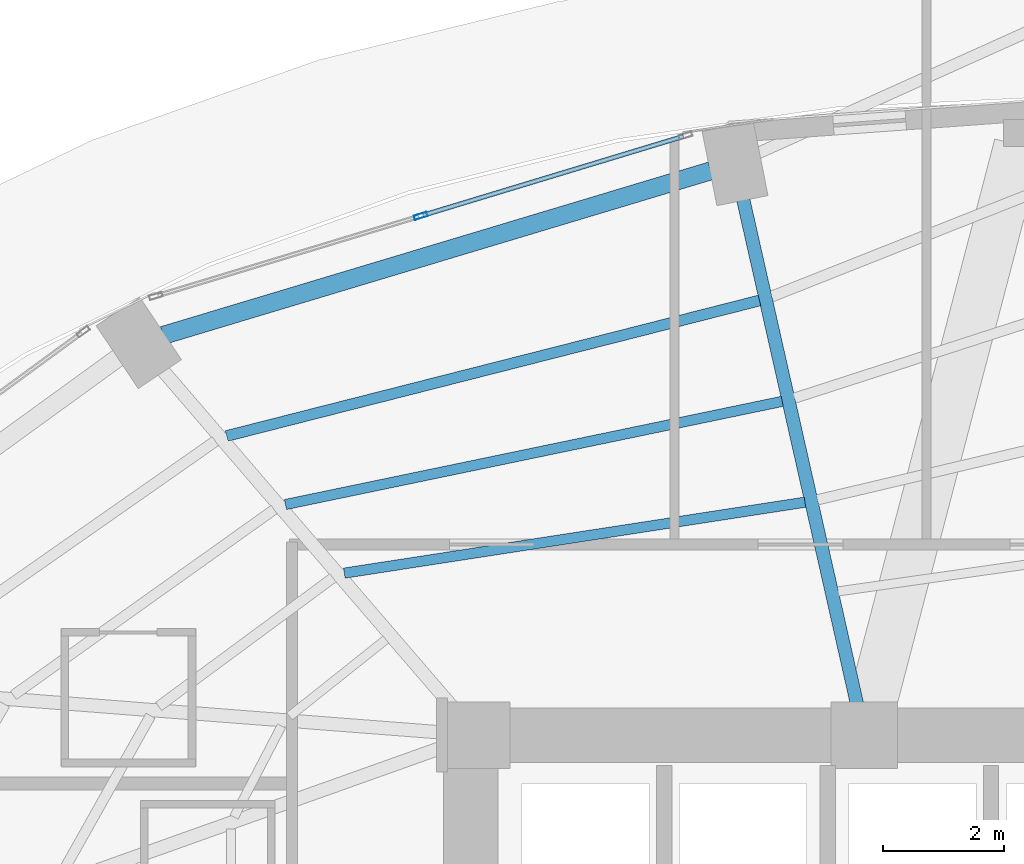
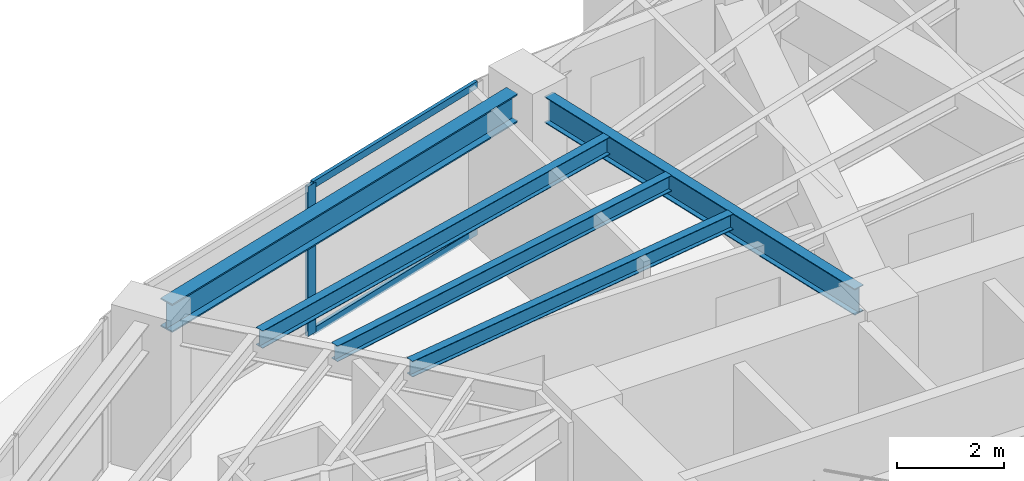
# One storey, part 14 of 25: 5 beams, 3 members, 1 element without a shape of its own.
"""IFC4 building model written with IfcOpenShell, lengths in metres."""

from ifc_helpers import new_model, si_unit, direction, frame, origin, origin_2d, place, context, subcontext, project, spatial, hollow_rectangle, i_section, extrude, material, layer, layer_set, material_profile, profile_set, type_object, element, aggregate, save


model = new_model("IFC4")

# Units and contexts
model_context = context("Model", 3, precision=1e-05, world=origin(), true_north=direction((0.0, 1.0)))
body_context = subcontext(model_context, "Body", "Model", "MODEL_VIEW")
ifc_project = project(units=[si_unit("LENGTHUNIT", "METRE"), si_unit("AREAUNIT", "SQUARE_METRE"), si_unit("VOLUMEUNIT", "CUBIC_METRE"), si_unit("PLANEANGLEUNIT", "RADIAN"), si_unit("MASSUNIT", "GRAM", prefix="KILO")], contexts=[model_context])

# Site, building, storey
site_placement = place(None, origin())
site = spatial("IfcSite", under=ifc_project, at=site_placement, CompositionType="ELEMENT")
building_placement = place(site_placement, origin())
building = spatial("IfcBuilding", under=site, at=building_placement, Name="Lazwardi Medical Tower", CompositionType="ELEMENT")
storey_placement = place(building_placement, frame((0.0, 0.0, 25.199951171875)))
storey = spatial("IfcBuildingStorey", under=building, at=storey_placement, Name="L05", CompositionType="ELEMENT", Elevation=25.199951171875)

# Beams
ifc_material_1 = material(Name="Steel S355", Category="steel")
ifc_material_profile_1 = material_profile(ifc_material_1, i_section(OverallWidth=0.300048828125, OverallDepth=0.64990234375, WebThickness=0.01611328125, FlangeThickness=0.031005859375, at=origin_2d()), Name="HEB 650")
ifc_profile_set_1 = profile_set([ifc_material_profile_1], Name="Steel S355")
beam_type_1 = type_object("IfcBeamType", Name="BM-RB-Z1", PredefinedType="BEAM", material=ifc_profile_set_1)
beam_1_placement = place(storey_placement, frame((30.26708984375, 44.923095703125, 3.10302734375), z_axis=(-0.957695289269, -0.287784177662, 0.0), x_axis=(0.287784177662, -0.957695289269, 0.0)))
element("IfcBeam", 1, at=beam_1_placement, inside=storey, type_object=beam_type_1, Name="Ring beam RB-02 B09 L05", PredefinedType="BEAM", context=body_context, shape_type="SweptSolid", body=[
    extrude(i_section(OverallWidth=0.300048828125, OverallDepth=0.64990234375, WebThickness=0.01611328125, FlangeThickness=0.031005859375, at=origin_2d()), origin(), (0.0, 0.0, 1.0), 9.445556640625),
])
ifc_material_profile_2 = material_profile(ifc_material_1, i_section(OverallWidth=0.219970703125, OverallDepth=0.60009765625, WebThickness=0.011962890625, FlangeThickness=0.01904296875, at=origin_2d()), Name="IPE 600")
ifc_profile_set_2 = profile_set([ifc_material_profile_2], Name="Steel S355")
beam_type_2 = type_object("IfcBeamType", Name="BM-RG-W1", PredefinedType="BEAM", material=ifc_profile_set_2)
beam_2_placement = place(storey_placement, frame((30.796875, 44.478271484375, 3.1279296875), z_axis=(0.22010079219, -0.975477135189, 0.0), x_axis=(0.975477135189, 0.22010079219, 0.0)))
element("IfcBeam", 2, at=beam_2_placement, inside=storey, type_object=beam_type_2, Name="Radial girder RG-02 R09 L05", PredefinedType="BEAM", context=body_context, shape_type="SweptSolid", body=[
    extrude(i_section(OverallWidth=0.219970703125, OverallDepth=0.60009765625, WebThickness=0.011962890625, FlangeThickness=0.01904296875, at=origin_2d()), origin(), (0.0, 0.0, 1.0), 8.56640625),
])
ifc_material_profile_3 = material_profile(ifc_material_1, i_section(OverallWidth=0.179931640625, OverallDepth=0.39990234375, WebThickness=0.008544921875, FlangeThickness=0.013427734375, at=origin_2d()), Name="IPE 400")
ifc_profile_set_3 = profile_set([ifc_material_profile_3], Name="Steel S355")
beam_type_3 = type_object("IfcBeamType", Name="BM-SJ-01", PredefinedType="JOIST", material=ifc_profile_set_3)
beam_3_placement = place(storey_placement, frame((31.072265625, 42.781005859375, 3.22802734375), z_axis=(-0.969151012048, -0.246467677081, 0.0), x_axis=(0.246467677081, -0.969151012048, 0.0)))
element("IfcBeam", 3, at=beam_3_placement, inside=storey, type_object=beam_type_3, Name="Secondary joist SJ-01 R1 B09 L05", PredefinedType="JOIST", context=body_context, shape_type="SweptSolid", body=[
    extrude(i_section(OverallWidth=0.179931640625, OverallDepth=0.39990234375, WebThickness=0.008544921875, FlangeThickness=0.013427734375, at=origin_2d()), origin(), (0.0, 0.0, 1.0), 9.08251953125),
])
ifc_material_profile_4 = material_profile(ifc_material_1, i_section(OverallWidth=0.169921875, OverallDepth=0.360107421875, WebThickness=0.008056640625, FlangeThickness=0.0126953125, at=origin_2d()), Name="IPE 360")
ifc_profile_set_4 = profile_set([ifc_material_profile_4], Name="Steel S355")
beam_type_4 = type_object("IfcBeamType", Name="BM-SJ-02", PredefinedType="JOIST", material=ifc_profile_set_4)
beam_4_placement = place(storey_placement, frame((31.4482421875, 41.114501953125, 3.248046875), z_axis=(-0.979107693723, -0.203342381445, 0.0), x_axis=(0.203342381445, -0.979107693723, 0.0)))
element("IfcBeam", 4, at=beam_4_placement, inside=storey, type_object=beam_type_4, Name="Secondary joist SJ-02 R2 B09 L05", PredefinedType="JOIST", context=body_context, shape_type="SweptSolid", body=[
    extrude(i_section(OverallWidth=0.169921875, OverallDepth=0.360107421875, WebThickness=0.008056640625, FlangeThickness=0.0126953125, at=origin_2d()), origin(), (0.0, 0.0, 1.0), 8.381591796875),
])
beam_5_placement = place(storey_placement, frame((31.824462890625, 39.448486328125, 3.248046875), z_axis=(-0.988362899594, -0.152114360618, 0.0), x_axis=(0.152114360618, -0.988362899594, 0.0)))
element("IfcBeam", 5, at=beam_5_placement, inside=storey, type_object=beam_type_4, Name="Secondary joist SJ-02 R3 B09 L05", PredefinedType="JOIST", context=body_context, shape_type="SweptSolid", body=[
    extrude(i_section(OverallWidth=0.169921875, OverallDepth=0.360107421875, WebThickness=0.008056640625, FlangeThickness=0.0126953125, at=origin_2d()), origin(), (0.0, 0.0, 1.0), 7.70068359375),
])

# Curtain wall, members
ifc_material_2 = material(Name="Anodised bronze aluminium and solar control glazing", Category="aluminium")
ifc_layer = layer(ifc_material_2, 0.199951171875)
ifc_layer_set = layer_set([ifc_layer], Name="Anodised bronze aluminium and solar control glazing")
curtain_wall_type = type_object("IfcCurtainWallType", Name="CW-SYS-02", PredefinedType="NOTDEFINED", material=ifc_layer_set)
curtain_wall_placement = place(storey_placement, origin())
curtain_wall = element("IfcCurtainWall", 6, at=curtain_wall_placement, inside=storey, type_object=curtain_wall_type, Name="L05 Unitised bronze curtain wall CW-02", PredefinedType="NOTDEFINED")
ifc_material_3 = material(Name="Anodised bronze aluminium", Category="aluminium")
ifc_material_profile_5 = material_profile(ifc_material_3, hollow_rectangle(XDim=0.074951171875, YDim=0.219970703125, WallThickness=0.00390625, at=origin_2d()), Name="ALU-MULLION 220x75x4")
ifc_profile_set_5 = profile_set([ifc_material_profile_5], Name="Anodised bronze aluminium")
member_type_1 = type_object("IfcMemberType", Name="CW-MUL-01", PredefinedType="MULLION", material=ifc_profile_set_5)
member_1_placement = place(storey_placement, frame((25.476806640625, 44.178466796875, 0.0), z_axis=(0.0, 0.0, 1.0), x_axis=(0.2898956909, -0.957058247129, 0.0)))
member_1 = element("IfcMember", 7, at=member_1_placement, type_object=member_type_1, Name="CW-02 mullion 2", PredefinedType="MULLION", context=body_context, shape_type="SweptSolid", body=[
    extrude(hollow_rectangle(XDim=0.074951171875, YDim=0.219970703125, WallThickness=0.00390625, at=origin_2d()), origin(), (0.0, 0.0, 1.0), 3.427978515625),
])
ifc_material_profile_6 = material_profile(ifc_material_3, hollow_rectangle(XDim=0.074951171875, YDim=0.159912109375, WallThickness=0.00390625, at=origin_2d()), Name="ALU-TRANSOM 160x75x4")
ifc_profile_set_6 = profile_set([ifc_material_profile_6], Name="Anodised bronze aluminium")
member_type_2 = type_object("IfcMemberType", Name="CW-TRN-01", PredefinedType="USERDEFINED", material=ifc_profile_set_6)
member_2_placement = place(storey_placement, frame((29.816162109375, 45.492919921875, 0.03759765625), z_axis=(-0.957047233423, -0.28993204893, 0.0), x_axis=(0.28993204893, -0.957047233423, 0.0)))
member_2 = element("IfcMember", 8, at=member_2_placement, type_object=member_type_2, Name="CW-02 transom 1.1", ObjectType="TRANSOM", PredefinedType="USERDEFINED", context=body_context, shape_type="SweptSolid", body=[
    extrude(hollow_rectangle(XDim=0.074951171875, YDim=0.159912109375, WallThickness=0.00390625, at=origin_2d()), origin(), (0.0, 0.0, 1.0), 4.49658203125),
])
member_3_placement = place(storey_placement, frame((29.816162109375, 45.492919921875, 3.390625), z_axis=(-0.957047233423, -0.28993204893, 0.0), x_axis=(0.28993204893, -0.957047233423, 0.0)))
member_3 = element("IfcMember", 9, at=member_3_placement, type_object=member_type_2, Name="CW-02 transom 1.2", ObjectType="TRANSOM", PredefinedType="USERDEFINED", context=body_context, shape_type="SweptSolid", body=[
    extrude(hollow_rectangle(XDim=0.074951171875, YDim=0.159912109375, WallThickness=0.00390625, at=origin_2d()), origin(), (0.0, 0.0, 1.0), 4.49658203125),
])
aggregate(curtain_wall, [member_1, member_2, member_3])

save(model, "model.ifc")
